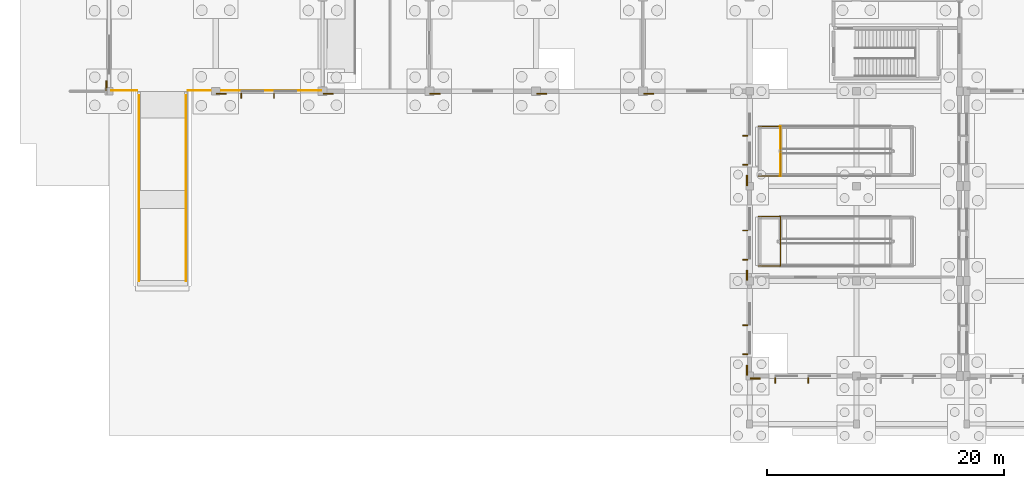
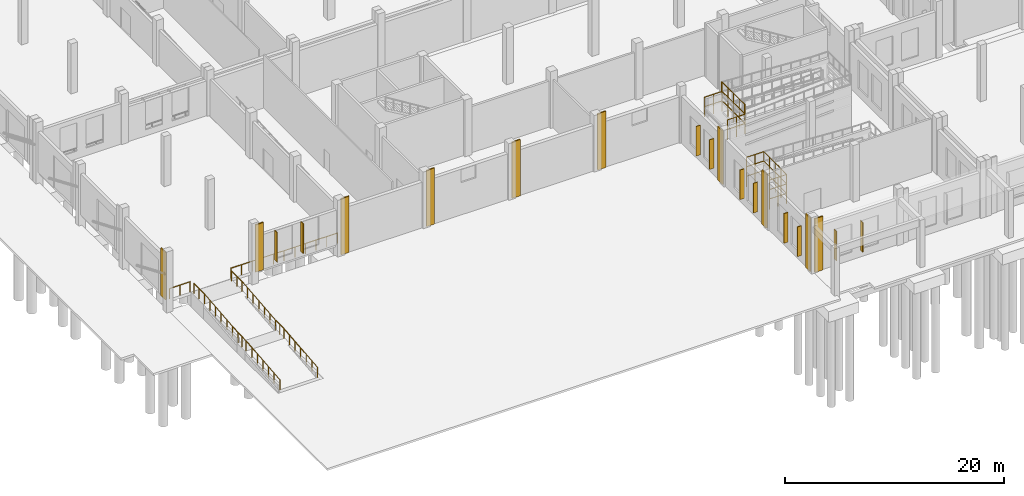
# One storey, part 78 of 99: 10 coverings, 10 railings, 10 shading devices.
"""IFC4 building model written with IfcOpenShell, lengths in metres."""

from ifc_helpers import new_model, si_unit, direction, frame, origin, origin_2d, place, context, subcontext, project, spatial, rectangle, circle, extrude, material, layer, layer_set, type_object, element, save


model = new_model("IFC4")

# Units and contexts
model_context = context("Model", 3, precision=1e-05, world=origin(), true_north=direction((0.0, 1.0)))
body_context = subcontext(model_context, "Body", "Model", "MODEL_VIEW")
ifc_project = project(units=[si_unit("LENGTHUNIT", "METRE"), si_unit("AREAUNIT", "SQUARE_METRE"), si_unit("VOLUMEUNIT", "CUBIC_METRE"), si_unit("PLANEANGLEUNIT", "RADIAN"), si_unit("MASSUNIT", "GRAM", prefix="KILO")], contexts=[model_context])

# Site, building, storey
site_placement = place(None, origin())
site = spatial("IfcSite", under=ifc_project, at=site_placement, CompositionType="ELEMENT")
building_placement = place(site_placement, origin())
building = spatial("IfcBuilding", under=site, at=building_placement, Name="Zacnel Wholesale Market", CompositionType="ELEMENT")
storey_placement = place(building_placement, origin())
storey = spatial("IfcBuildingStorey", under=building, at=storey_placement, Name="L01", CompositionType="ELEMENT", Elevation=0.0)

# Coverings
ifc_material_1 = material(Name="Honed Yucatan Maya cream limestone", Category="masonry")
ifc_layer_1 = layer(ifc_material_1, 0.090087890625)
ifc_layer_set_1 = layer_set([ifc_layer_1], Name="Honed Yucatan Maya cream limestone")
covering_type = type_object("IfcCoveringType", Name="COV-CLAD-FRET", PredefinedType="CLADDING", material=ifc_layer_set_1)
for number, where, z_axis, x_axis, name in (
    (1, (9.47998046875, 23.7900390625, 1.2451171875), (0.0, 0.0, 1.0), (1.0, 0.0, 0.0), "Fluted Mayan-Deco limestone pilaster L01-0001"),
    (2, (-0.2099609375, 24.47998046875, 1.2451171875), (0.0, 0.0, 1.0), (0.0, 1.0, 0.0), "Fluted Mayan-Deco limestone pilaster L01-0002"),
):
    element("IfcCovering", number, at=place(storey_placement, frame(where, z_axis=z_axis, x_axis=x_axis)), inside=storey, type_object=covering_type, Name=name, PredefinedType="CLADDING", context=body_context, shape_type="SweptSolid", body=[
        extrude(rectangle(XDim=0.85009765625, YDim=0.1201171875, at=origin_2d()), origin(), (0.0, 0.0, 1.0), 5.27490234375),
    ])
for number, where, z_axis, x_axis, name in (
    (3, (18.47998046875, 23.7900390625, 0.02001953125), (0.0, 0.0, 1.0), (1.0, 0.0, 0.0), "Fluted Mayan-Deco limestone pilaster L01-0016"),
    (4, (27.47998046875, 23.7900390625, 0.02001953125), (0.0, 0.0, 1.0), (1.0, 0.0, 0.0), "Fluted Mayan-Deco limestone pilaster L01-0017"),
    (5, (36.47998046875, 23.7900390625, 0.02001953125), (0.0, 0.0, 1.0), (1.0, 0.0, 0.0), "Fluted Mayan-Deco limestone pilaster L01-0018"),
    (6, (45.47998046875, 23.7900390625, 0.02001953125), (0.0, 0.0, 1.0), (1.0, 0.0, 0.0), "Fluted Mayan-Deco limestone pilaster L01-0019"),
):
    element("IfcCovering", number, at=place(storey_placement, frame(where, z_axis=z_axis, x_axis=x_axis)), inside=storey, type_object=covering_type, Name=name, PredefinedType="CLADDING", context=body_context, shape_type="SweptSolid", body=[
        extrude(rectangle(XDim=0.85009765625, YDim=0.1201171875, at=origin_2d()), origin(), (0.0, 0.0, 1.0), 6.260009765625),
    ])
for number, where, z_axis, x_axis, name in (
    (7, (54.47998046875, -0.2099609375, 0.02001953125), (0.0, 0.0, 1.0), (1.0, 0.0, 0.0), "Fluted Mayan-Deco limestone pilaster L01-0026"),
    (8, (53.7900390625, 0.47998046875, 0.02001953125), (0.0, 0.0, 1.0), (0.0, 1.0, 0.0), "Fluted Mayan-Deco limestone pilaster L01-0028"),
    (9, (53.7900390625, 8.47998046875, 0.02001953125), (0.0, 0.0, 1.0), (0.0, 1.0, 0.0), "Fluted Mayan-Deco limestone pilaster L01-0029"),
    (10, (53.7900390625, 16.47998046875, 0.02001953125), (0.0, 0.0, 1.0), (0.0, 1.0, 0.0), "Fluted Mayan-Deco limestone pilaster L01-0030"),
):
    element("IfcCovering", number, at=place(storey_placement, frame(where, z_axis=z_axis, x_axis=x_axis)), inside=storey, type_object=covering_type, Name=name, PredefinedType="CLADDING", context=body_context, shape_type="SweptSolid", body=[
        extrude(rectangle(XDim=0.85009765625, YDim=0.1201171875, at=origin_2d()), origin(), (0.0, 0.0, 1.0), 5.97998046875),
    ])

# Railings
ifc_material_2 = material(Name="Galvanized steel", Category="steel")
railing_type_1 = type_object("IfcRailingType", Name="RAL-STAIR-GD1150", PredefinedType="BALUSTRADE", material=ifc_material_2)
railing_1_placement = place(storey_placement, frame((2.52001953125, 8.0, 0.0)))
element("IfcRailing", 11, at=railing_1_placement, inside=storey, type_object=railing_type_1, Name="Vehicle access ramp RP-02 edge balustrade", PredefinedType="BALUSTRADE", context=body_context, shape_type="SweptSolid", body=[
    extrude(circle(Radius=0.02392578125, at=origin_2d()), frame((0.0, 0.0, 1.1259765625), z_axis=(0.0, 0.995036404796, 0.099511572849), x_axis=(-1.0, 0.0, 0.0)), (0.0, 0.0, 1.0), 6.155517578125),
    extrude(circle(Radius=0.02392578125, at=origin_2d()), frame((0.0, 6.125, 1.73828125), z_axis=(0.0, 1.0, 0.0), x_axis=(-1.0, 0.0, 0.0)), (0.0, 0.0, 1.0), 1.5),
    extrude(circle(Radius=0.02392578125, at=origin_2d()), frame((0.0, 7.625, 1.73828125), z_axis=(0.0, 0.995036404796, 0.099511572849), x_axis=(-1.0, 0.0, 0.0)), (0.0, 0.0, 1.0), 6.155517578125),
    extrude(circle(Radius=0.02392578125, at=origin_2d()), frame((0.0, 13.75, 2.35107421875), z_axis=(0.0, 1.0, 0.0), x_axis=(-1.0, 0.0, 0.0)), (0.0, 0.0, 1.0), 1.89990234375),
    extrude(circle(Radius=0.02099609375, at=origin_2d()), origin(), (0.0, 0.0, 1.0), 1.101806640625),
    extrude(circle(Radius=0.02099609375, at=origin_2d()), frame((0.0, 1.020751953125, 0.10205078125)), (0.0, 0.0, 1.0), 1.101806640625),
    extrude(circle(Radius=0.02099609375, at=origin_2d()), frame((0.0, 2.041748046875, 0.2041015625)), (0.0, 0.0, 1.0), 1.101806640625),
    extrude(circle(Radius=0.02099609375, at=origin_2d()), frame((0.0, 3.0625, 0.30615234375)), (0.0, 0.0, 1.0), 1.101806640625),
    extrude(circle(Radius=0.02099609375, at=origin_2d()), frame((0.0, 4.083251953125, 0.408447265625)), (0.0, 0.0, 1.0), 1.101806640625),
    extrude(circle(Radius=0.02099609375, at=origin_2d()), frame((0.0, 5.104248046875, 0.510498046875)), (0.0, 0.0, 1.0), 1.101806640625),
    extrude(circle(Radius=0.02099609375, at=origin_2d()), frame((0.0, 6.125, 0.612548828125)), (0.0, 0.0, 1.0), 1.101806640625),
    extrude(circle(Radius=0.02099609375, at=origin_2d()), frame((0.0, 6.875, 0.612548828125)), (0.0, 0.0, 1.0), 1.101806640625),
    extrude(circle(Radius=0.02099609375, at=origin_2d()), frame((0.0, 7.625, 0.612548828125)), (0.0, 0.0, 1.0), 1.101806640625),
    extrude(circle(Radius=0.02099609375, at=origin_2d()), frame((0.0, 8.645751953125, 0.714599609375)), (0.0, 0.0, 1.0), 1.101806640625),
    extrude(circle(Radius=0.02099609375, at=origin_2d()), frame((0.0, 9.666748046875, 0.816650390625)), (0.0, 0.0, 1.0), 1.101806640625),
    extrude(circle(Radius=0.02099609375, at=origin_2d()), frame((0.0, 10.6875, 0.9189453125)), (0.0, 0.0, 1.0), 1.101806640625),
    extrude(circle(Radius=0.02099609375, at=origin_2d()), frame((0.0, 11.708251953125, 1.02099609375)), (0.0, 0.0, 1.0), 1.101806640625),
    extrude(circle(Radius=0.02099609375, at=origin_2d()), frame((0.0, 12.729248046875, 1.123046875)), (0.0, 0.0, 1.0), 1.101806640625),
    extrude(circle(Radius=0.02099609375, at=origin_2d()), frame((0.0, 13.75, 1.22509765625)), (0.0, 0.0, 1.0), 1.101806640625),
    extrude(circle(Radius=0.02099609375, at=origin_2d()), frame((0.0, 14.699951171875, 1.22509765625)), (0.0, 0.0, 1.0), 1.101806640625),
    extrude(circle(Radius=0.02099609375, at=origin_2d()), frame((0.0, 15.64990234375, 1.22509765625)), (0.0, 0.0, 1.0), 1.101806640625),
])
railing_2_placement = place(storey_placement, frame((6.47998046875, 8.0, 0.0)))
element("IfcRailing", 12, at=railing_2_placement, inside=storey, type_object=railing_type_1, Name="Vehicle access ramp RP-02 edge balustrade", PredefinedType="BALUSTRADE", context=body_context, shape_type="SweptSolid", body=[
    extrude(circle(Radius=0.02392578125, at=origin_2d()), frame((0.0, 0.0, 1.1259765625), z_axis=(0.0, 0.995036404796, 0.099511572849), x_axis=(-1.0, 0.0, 0.0)), (0.0, 0.0, 1.0), 6.155517578125),
    extrude(circle(Radius=0.02392578125, at=origin_2d()), frame((0.0, 6.125, 1.73828125), z_axis=(0.0, 1.0, 0.0), x_axis=(-1.0, 0.0, 0.0)), (0.0, 0.0, 1.0), 1.5),
    extrude(circle(Radius=0.02392578125, at=origin_2d()), frame((0.0, 7.625, 1.73828125), z_axis=(0.0, 0.995036404796, 0.099511572849), x_axis=(-1.0, 0.0, 0.0)), (0.0, 0.0, 1.0), 6.155517578125),
    extrude(circle(Radius=0.02392578125, at=origin_2d()), frame((0.0, 13.75, 2.35107421875), z_axis=(0.0, 1.0, 0.0), x_axis=(-1.0, 0.0, 0.0)), (0.0, 0.0, 1.0), 1.89990234375),
    extrude(circle(Radius=0.02099609375, at=origin_2d()), origin(), (0.0, 0.0, 1.0), 1.101806640625),
    extrude(circle(Radius=0.02099609375, at=origin_2d()), frame((0.0, 1.020751953125, 0.10205078125)), (0.0, 0.0, 1.0), 1.101806640625),
    extrude(circle(Radius=0.02099609375, at=origin_2d()), frame((0.0, 2.041748046875, 0.2041015625)), (0.0, 0.0, 1.0), 1.101806640625),
    extrude(circle(Radius=0.02099609375, at=origin_2d()), frame((0.0, 3.0625, 0.30615234375)), (0.0, 0.0, 1.0), 1.101806640625),
    extrude(circle(Radius=0.02099609375, at=origin_2d()), frame((0.0, 4.083251953125, 0.408447265625)), (0.0, 0.0, 1.0), 1.101806640625),
    extrude(circle(Radius=0.02099609375, at=origin_2d()), frame((0.0, 5.104248046875, 0.510498046875)), (0.0, 0.0, 1.0), 1.101806640625),
    extrude(circle(Radius=0.02099609375, at=origin_2d()), frame((0.0, 6.125, 0.612548828125)), (0.0, 0.0, 1.0), 1.101806640625),
    extrude(circle(Radius=0.02099609375, at=origin_2d()), frame((0.0, 6.875, 0.612548828125)), (0.0, 0.0, 1.0), 1.101806640625),
    extrude(circle(Radius=0.02099609375, at=origin_2d()), frame((0.0, 7.625, 0.612548828125)), (0.0, 0.0, 1.0), 1.101806640625),
    extrude(circle(Radius=0.02099609375, at=origin_2d()), frame((0.0, 8.645751953125, 0.714599609375)), (0.0, 0.0, 1.0), 1.101806640625),
    extrude(circle(Radius=0.02099609375, at=origin_2d()), frame((0.0, 9.666748046875, 0.816650390625)), (0.0, 0.0, 1.0), 1.101806640625),
    extrude(circle(Radius=0.02099609375, at=origin_2d()), frame((0.0, 10.6875, 0.9189453125)), (0.0, 0.0, 1.0), 1.101806640625),
    extrude(circle(Radius=0.02099609375, at=origin_2d()), frame((0.0, 11.708251953125, 1.02099609375)), (0.0, 0.0, 1.0), 1.101806640625),
    extrude(circle(Radius=0.02099609375, at=origin_2d()), frame((0.0, 12.729248046875, 1.123046875)), (0.0, 0.0, 1.0), 1.101806640625),
    extrude(circle(Radius=0.02099609375, at=origin_2d()), frame((0.0, 13.75, 1.22509765625)), (0.0, 0.0, 1.0), 1.101806640625),
    extrude(circle(Radius=0.02099609375, at=origin_2d()), frame((0.0, 14.699951171875, 1.22509765625)), (0.0, 0.0, 1.0), 1.101806640625),
    extrude(circle(Radius=0.02099609375, at=origin_2d()), frame((0.0, 15.64990234375, 1.22509765625)), (0.0, 0.0, 1.0), 1.101806640625),
])
for number, where, name in (
    (13, (54.760009765625, 9.260009765625, 1.050048828125), "Accessible ramp RP-03 (RMP-PROM-1A) landing balustrade 2"),
    (14, (54.760009765625, 9.260009765625, 2.10009765625), "Accessible ramp RP-03 (RMP-PROM-1A) landing balustrade 4"),
    (15, (54.760009765625, 9.260009765625, 3.14990234375), "Accessible ramp RP-03 (RMP-PROM-1A) landing balustrade 6"),
    (16, (54.760009765625, 16.860107421875, 4.199951171875), "Accessible ramp RP-03 (RMP-PROM-1B) landing balustrade 2"),
    (17, (54.760009765625, 16.860107421875, 5.25), "Accessible ramp RP-03 (RMP-PROM-1B) landing balustrade 4"),
):
    element("IfcRailing", number, at=place(storey_placement, frame(where)), inside=storey, type_object=railing_type_1, Name=name, PredefinedType="BALUSTRADE", context=body_context, shape_type="SweptSolid", body=[
        extrude(circle(Radius=0.0224609375, at=origin_2d()), frame((0.0, 0.0, 1.12744140625), z_axis=(1.0, 0.0, 0.0), x_axis=(0.0, 1.0, 0.0)), (0.0, 0.0, 1.0), 1.830078125),
        extrude(circle(Radius=0.0224609375, at=origin_2d()), frame((1.830078125, 0.0, 1.12744140625), z_axis=(0.0, 1.0, 0.0), x_axis=(-1.0, 0.0, 0.0)), (0.0, 0.0, 1.0), 4.179931640625),
        extrude(circle(Radius=0.0224609375, at=origin_2d()), frame((1.830078125, 4.179931640625, 1.12744140625), z_axis=(-1.0, 0.0, 0.0), x_axis=(0.0, -1.0, 0.0)), (0.0, 0.0, 1.0), 1.830078125),
        extrude(circle(Radius=0.02001953125, at=origin_2d()), origin(), (0.0, 0.0, 1.0), 1.10498046875),
        extrude(circle(Radius=0.02001953125, at=origin_2d()), frame((0.9150390625, 0.0, 0.0)), (0.0, 0.0, 1.0), 1.10498046875),
        extrude(circle(Radius=0.02001953125, at=origin_2d()), frame((1.830078125, 0.0, 0.0)), (0.0, 0.0, 1.0), 1.10498046875),
        extrude(circle(Radius=0.02001953125, at=origin_2d()), frame((1.830078125, 1.044921875, 0.0)), (0.0, 0.0, 1.0), 1.10498046875),
        extrude(circle(Radius=0.02001953125, at=origin_2d()), frame((1.830078125, 2.08984375, 0.0)), (0.0, 0.0, 1.0), 1.10498046875),
        extrude(circle(Radius=0.02001953125, at=origin_2d()), frame((1.830078125, 3.135009765625, 0.0)), (0.0, 0.0, 1.0), 1.10498046875),
        extrude(circle(Radius=0.02001953125, at=origin_2d()), frame((1.830078125, 4.179931640625, 0.0)), (0.0, 0.0, 1.0), 1.10498046875),
        extrude(circle(Radius=0.02001953125, at=origin_2d()), frame((0.9150390625, 4.179931640625, 0.0)), (0.0, 0.0, 1.0), 1.10498046875),
        extrude(circle(Radius=0.02001953125, at=origin_2d()), frame((0.0, 4.179931640625, 0.0)), (0.0, 0.0, 1.0), 1.10498046875),
    ])
railing_3_placement = place(storey_placement, frame((56.5400390625, 16.860107421875, 6.300048828125)))
element("IfcRailing", 18, at=railing_3_placement, inside=storey, type_object=railing_type_1, Name="Accessible ramp RP-03 (RMP-PROM-1B) landing balustrade 6", PredefinedType="BALUSTRADE", context=body_context, shape_type="SweptSolid", body=[
    extrude(circle(Radius=0.0224609375, at=origin_2d()), frame((0.0, 0.0, 1.12744140625), z_axis=(1.0, 0.0, 0.0), x_axis=(0.0, 1.0, 0.0)), (0.0, 0.0, 1.0), 0.050048828125),
    extrude(circle(Radius=0.0224609375, at=origin_2d()), frame((0.050048828125, 0.0, 1.12744140625), z_axis=(0.0, 1.0, 0.0), x_axis=(-1.0, 0.0, 0.0)), (0.0, 0.0, 1.0), 4.179931640625),
    extrude(circle(Radius=0.0224609375, at=origin_2d()), frame((0.050048828125, 4.179931640625, 1.12744140625), z_axis=(-1.0, 0.0, 0.0), x_axis=(0.0, -1.0, 0.0)), (0.0, 0.0, 1.0), 0.050048828125),
    extrude(circle(Radius=0.02001953125, at=origin_2d()), origin(), (0.0, 0.0, 1.0), 1.10498046875),
    extrude(circle(Radius=0.02001953125, at=origin_2d()), frame((0.050048828125, 0.0, 0.0)), (0.0, 0.0, 1.0), 1.10498046875),
    extrude(circle(Radius=0.02001953125, at=origin_2d()), frame((0.050048828125, 1.044921875, 0.0)), (0.0, 0.0, 1.0), 1.10498046875),
    extrude(circle(Radius=0.02001953125, at=origin_2d()), frame((0.050048828125, 2.08984375, 0.0)), (0.0, 0.0, 1.0), 1.10498046875),
    extrude(circle(Radius=0.02001953125, at=origin_2d()), frame((0.050048828125, 3.135009765625, 0.0)), (0.0, 0.0, 1.0), 1.10498046875),
    extrude(circle(Radius=0.02001953125, at=origin_2d()), frame((0.050048828125, 4.179931640625, 0.0)), (0.0, 0.0, 1.0), 1.10498046875),
    extrude(circle(Radius=0.02001953125, at=origin_2d()), frame((0.0, 4.179931640625, 0.0)), (0.0, 0.0, 1.0), 1.10498046875),
])
ifc_material_3 = material(Name="Steel S355", Category="steel")
ifc_layer_2 = layer(ifc_material_3, 0.080078125)
ifc_layer_set_2 = layer_set([ifc_layer_2], Name="Steel S355")
railing_type_2 = type_object("IfcRailingType", Name="RL-BAL-1150", PredefinedType="BALUSTRADE", material=ifc_layer_set_2)
railing_4_placement = place(storey_placement, frame((0.199951171875, 24.06005859375, 1.22509765625)))
element("IfcRailing", 19, at=railing_4_placement, inside=storey, type_object=railing_type_2, Name="Terrace safety balustrade GD-DOCK-SW1", PredefinedType="BALUSTRADE", context=body_context, shape_type="SweptSolid", body=[
    extrude(circle(Radius=0.02392578125, at=origin_2d()), frame((0.0, 0.0, 1.1259765625), z_axis=(1.0, 0.0, 0.0), x_axis=(0.0, 1.0, 0.0)), (0.0, 0.0, 1.0), 2.150146484375),
    extrude(circle(Radius=0.02099609375, at=origin_2d()), origin(), (0.0, 0.0, 1.0), 1.101806640625),
    extrude(circle(Radius=0.02099609375, at=origin_2d()), frame((1.0751953125, 0.0, 0.0)), (0.0, 0.0, 1.0), 1.101806640625),
    extrude(circle(Radius=0.02099609375, at=origin_2d()), frame((2.150146484375, 0.0, 0.0)), (0.0, 0.0, 1.0), 1.101806640625),
])
railing_5_placement = place(storey_placement, frame((6.64990234375, 24.06005859375, 1.22509765625)))
element("IfcRailing", 20, at=railing_5_placement, inside=storey, type_object=railing_type_2, Name="Terrace safety balustrade GD-DOCK-SW2", PredefinedType="BALUSTRADE", context=body_context, shape_type="SweptSolid", body=[
    extrude(circle(Radius=0.02392578125, at=origin_2d()), frame((0.0, 0.0, 1.1259765625), z_axis=(1.0, 0.0, 0.0), x_axis=(0.0, 1.0, 0.0)), (0.0, 0.0, 1.0), 11.2001953125),
    extrude(circle(Radius=0.02099609375, at=origin_2d()), origin(), (0.0, 0.0, 1.0), 1.101806640625),
    extrude(circle(Radius=0.02099609375, at=origin_2d()), frame((1.1201171875, 0.0, 0.0)), (0.0, 0.0, 1.0), 1.101806640625),
    extrude(circle(Radius=0.02099609375, at=origin_2d()), frame((2.239990234375, 0.0, 0.0)), (0.0, 0.0, 1.0), 1.101806640625),
    extrude(circle(Radius=0.02099609375, at=origin_2d()), frame((3.360107421875, 0.0, 0.0)), (0.0, 0.0, 1.0), 1.101806640625),
    extrude(circle(Radius=0.02099609375, at=origin_2d()), frame((4.47998046875, 0.0, 0.0)), (0.0, 0.0, 1.0), 1.101806640625),
    extrude(circle(Radius=0.02099609375, at=origin_2d()), frame((5.60009765625, 0.0, 0.0)), (0.0, 0.0, 1.0), 1.101806640625),
    extrude(circle(Radius=0.02099609375, at=origin_2d()), frame((6.72021484375, 0.0, 0.0)), (0.0, 0.0, 1.0), 1.101806640625),
    extrude(circle(Radius=0.02099609375, at=origin_2d()), frame((7.840087890625, 0.0, 0.0)), (0.0, 0.0, 1.0), 1.101806640625),
    extrude(circle(Radius=0.02099609375, at=origin_2d()), frame((8.960205078125, 0.0, 0.0)), (0.0, 0.0, 1.0), 1.101806640625),
    extrude(circle(Radius=0.02099609375, at=origin_2d()), frame((10.080078125, 0.0, 0.0)), (0.0, 0.0, 1.0), 1.101806640625),
    extrude(circle(Radius=0.02099609375, at=origin_2d()), frame((11.2001953125, 0.0, 0.0)), (0.0, 0.0, 1.0), 1.101806640625),
])

# Shading devices
ifc_material_4 = material(Name="Honed Yucatan Maya cream limestone", Category="masonry")
shading_device_type = type_object("IfcShadingDeviceType", Name="SHD-FIN-V450", PredefinedType="USERDEFINED", material=ifc_material_4)
for number, where, z_axis, x_axis, name in (
    (21, (11.14794921875, 23.6298828125, 1.8349609375), (0.0, 0.0, 1.0), (1.0, 0.0, 0.0), "Limestone sunshade fin 0001"),
    (22, (13.906982421875, 23.6298828125, 1.8349609375), (0.0, 0.0, 1.0), (1.0, 0.0, 0.0), "Limestone sunshade fin 0002"),
    (23, (56.14794921875, -0.3798828125, 0.77490234375), (0.0, 0.0, 1.0), (1.0, 0.0, 0.0), "Limestone sunshade fin 0007"),
    (24, (58.931884765625, -0.3798828125, 0.77490234375), (0.0, 0.0, 1.0), (1.0, 0.0, 0.0), "Limestone sunshade fin 0008"),
    (25, (53.6201171875, 1.81494140625, 0.77490234375), (0.0, 0.0, 1.0), (0.0, 1.0, 0.0), "Limestone sunshade fin 0011"),
    (26, (53.6201171875, 4.264892578125, 0.77490234375), (0.0, 0.0, 1.0), (0.0, 1.0, 0.0), "Limestone sunshade fin 0012"),
    (27, (53.6201171875, 9.81494140625, 0.77490234375), (0.0, 0.0, 1.0), (0.0, 1.0, 0.0), "Limestone sunshade fin 0013"),
    (28, (53.6201171875, 12.264892578125, 0.77490234375), (0.0, 0.0, 1.0), (0.0, 1.0, 0.0), "Limestone sunshade fin 0014"),
    (29, (53.6201171875, 17.81494140625, 0.77490234375), (0.0, 0.0, 1.0), (0.0, 1.0, 0.0), "Limestone sunshade fin 0015"),
    (30, (53.6201171875, 20.264892578125, 0.77490234375), (0.0, 0.0, 1.0), (0.0, 1.0, 0.0), "Limestone sunshade fin 0016"),
):
    element("IfcShadingDevice", number, at=place(storey_placement, frame(where, z_axis=z_axis, x_axis=x_axis)), inside=storey, type_object=shading_device_type, Name=name, ObjectType="SUNSHADE", PredefinedType="USERDEFINED", context=body_context, shape_type="SweptSolid", body=[
        extrude(rectangle(XDim=0.080078125, YDim=0.43994140625, at=origin_2d()), origin(), (0.0, 0.0, 1.0), 3.300048828125),
    ])

save(model, "model.ifc")
